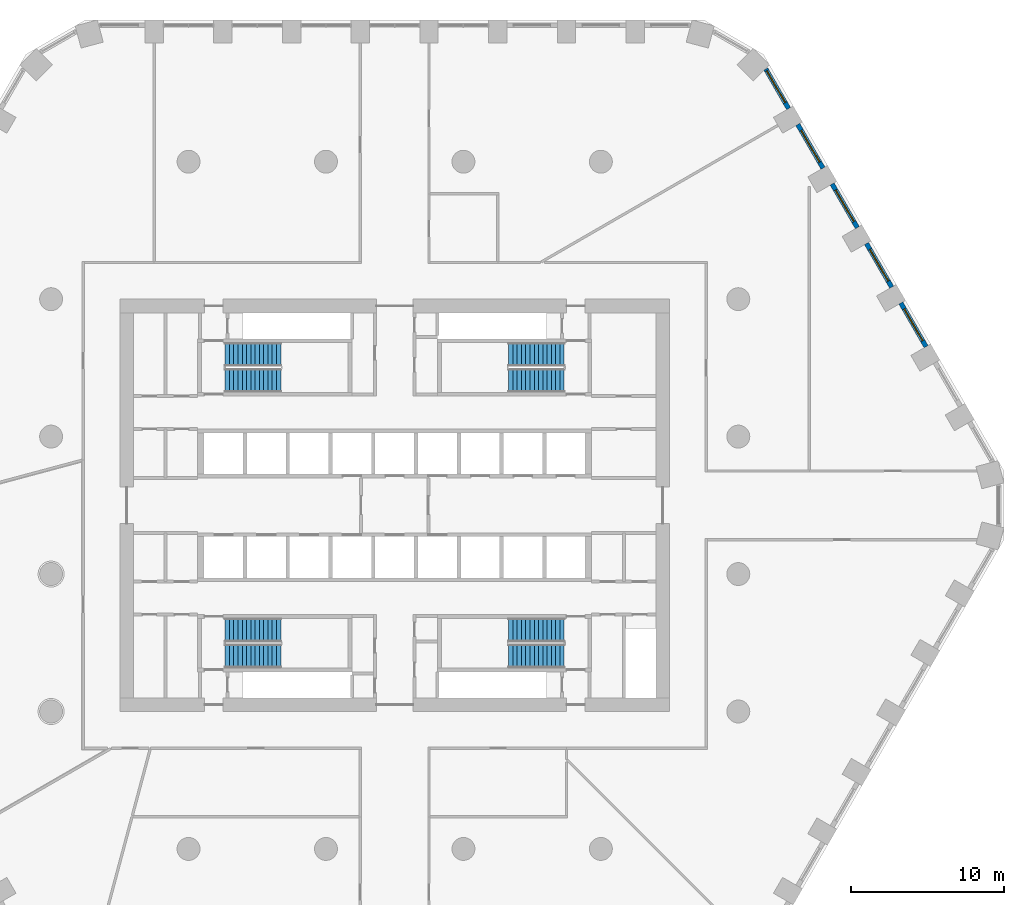
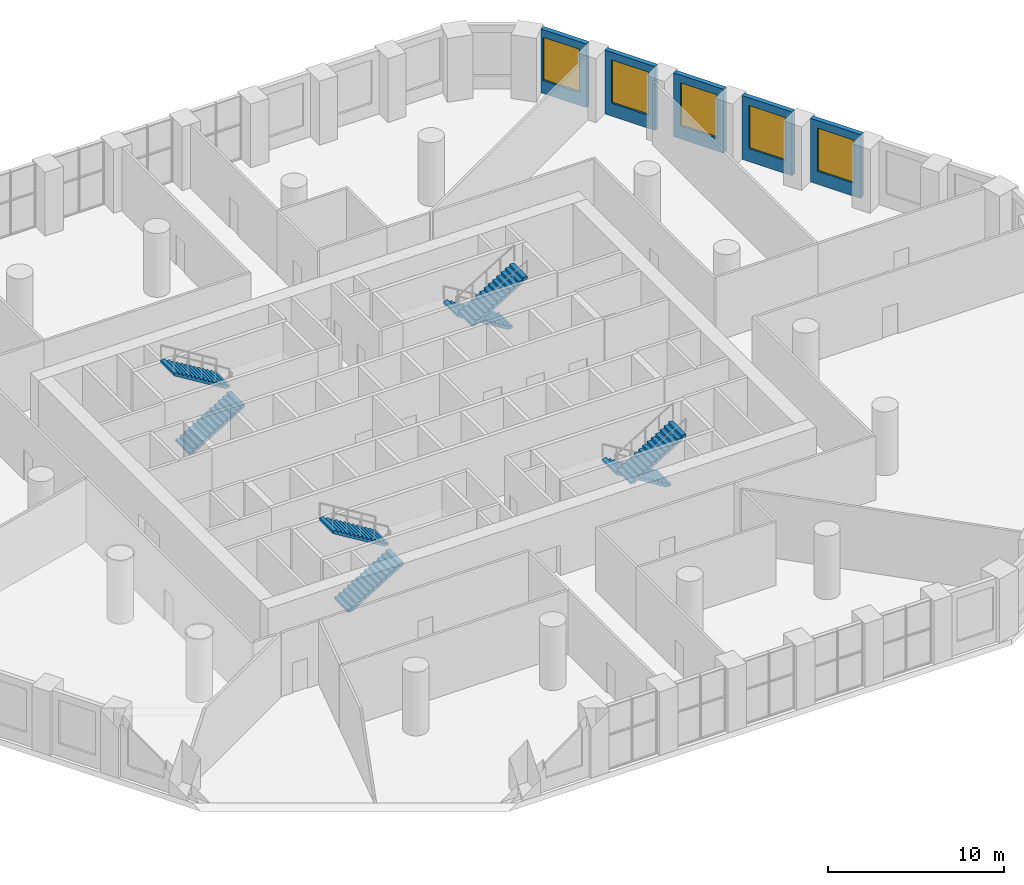
# One storey, part 11 of 13: 8 stair flights, 5 walls, 5 windows, 5 openings, 4 elements without a shape of their own.
"""IFC4 building model written with IfcOpenShell, lengths in metres."""

from ifc_helpers import new_model, si_unit, direction, frame, frame_2d, origin, place, context, subcontext, project, spatial, polyline, rectangle, outline, extrude, material, layer, layer_set, type_object, element, fill, aggregate, save


model = new_model("IFC4")

# Units and contexts
model_context = context("Model", 3, precision=1e-05, world=origin(), true_north=direction((0.0, 1.0)))
body_context = subcontext(model_context, "Body", "Model", "MODEL_VIEW")
ifc_project = project(units=[si_unit("LENGTHUNIT", "METRE"), si_unit("AREAUNIT", "SQUARE_METRE"), si_unit("VOLUMEUNIT", "CUBIC_METRE"), si_unit("PLANEANGLEUNIT", "RADIAN"), si_unit("MASSUNIT", "GRAM", prefix="KILO")], contexts=[model_context])

# Site, building, storey
site_placement = place(None, origin())
site = spatial("IfcSite", under=ifc_project, at=site_placement, CompositionType="ELEMENT")
building_placement = place(site_placement, origin())
building = spatial("IfcBuilding", under=site, at=building_placement, Name="Dhurran Vertical Campus", CompositionType="ELEMENT")
storey_placement = place(building_placement, frame((0.0, 0.0, 25.199951171875)))
storey = spatial("IfcBuildingStorey", under=building, at=storey_placement, Name="L05", CompositionType="ELEMENT", Elevation=25.199951171875)

# Wall, opening, window
ifc_material_1 = material(Name="Precast concrete C50/60", Category="concrete")
ifc_layer = layer(ifc_material_1, 0.300048828125)
ifc_layer_set = layer_set([ifc_layer], Name="Precast concrete C50/60")
wall_type = type_object("IfcWallType", Name="Precast spandrel wall 300", PredefinedType="SOLIDWALL", material=ifc_layer_set)
wall_1_placement = place(storey_placement, frame((34.793701171875, 10.389404296875, 0.0), z_axis=(0.0, 0.0, 1.0), x_axis=(-0.499991515992, 0.866030301974, 0.0)))
wall_1 = element("IfcWall", 1, at=wall_1_placement, inside=storey, type_object=wall_type, Name="EW1 L05.20", PredefinedType="SOLIDWALL", context=body_context, shape_type="SweptSolid", body=[
    extrude(rectangle(XDim=3.298828125, YDim=0.300048828125, at=frame_2d((1.6494140625, 0.0))), origin(), (0.0, 0.0, 1.0), 4.425048828125),
])
opening_1_placement = place(wall_1_placement, frame((0.449462890625, 0.0, 0.89990234375)))
opening_1 = element("IfcOpeningElement", 2, at=opening_1_placement, cuts=wall_1, Name="Opening WT2", PredefinedType="OPENING", context=body_context, shape_type="SweptSolid", body=[
    extrude(rectangle(XDim=2.39990234375, YDim=3.0, at=frame_2d((1.199951171875, 1.5))), frame((0.0, 0.159912109375, 0.0), z_axis=(0.0, -1.0, 0.0), x_axis=(1.0, 0.0, 0.0)), (0.0, 0.0, 1.0), 0.320068359375),
])
ifc_material_2 = material(Name="Aluminium frame with solar-control glass", Category="aluminium")
window_type = type_object("IfcWindowType", Name="Podium window 2400 x 3000", PartitioningType="SINGLE_PANEL", PredefinedType="WINDOW", material=ifc_material_2)
window_1_placement = place(opening_1_placement, origin())
window_1 = element("IfcWindow", 3, at=window_1_placement, inside=storey, type_object=window_type, Name="WT2 L05.20", OverallHeight=3.0, OverallWidth=2.39990234375, PartitioningType="SINGLE_PANEL", PredefinedType="WINDOW", context=body_context, shape_type="SweptSolid", body=[
    extrude(rectangle(XDim=2.39990234375, YDim=3.0, at=frame_2d((1.199951171875, 1.5))), frame((0.0, 0.030029296875, 0.0), z_axis=(0.0, -1.0, 0.0), x_axis=(1.0, 0.0, 0.0)), (0.0, 0.0, 1.0), 0.06005859375),
])
fill(opening_1, window_1)

wall_2_placement = place(storey_placement, frame((32.543701171875, 14.286376953125, 0.0), z_axis=(0.0, 0.0, 1.0), x_axis=(-0.499991515992, 0.866030301974, 0.0)))
wall_2 = element("IfcWall", 4, at=wall_2_placement, inside=storey, type_object=wall_type, Name="EW1 L05.21", PredefinedType="SOLIDWALL", context=body_context, shape_type="SweptSolid", body=[
    extrude(rectangle(XDim=3.298828125, YDim=0.300048828125, at=frame_2d((1.6494140625, 0.0))), origin(), (0.0, 0.0, 1.0), 4.425048828125),
])
opening_2_placement = place(wall_2_placement, frame((0.449462890625, 0.0, 0.89990234375)))
opening_2 = element("IfcOpeningElement", 5, at=opening_2_placement, cuts=wall_2, Name="Opening WT2", PredefinedType="OPENING", context=body_context, shape_type="SweptSolid", body=[
    extrude(rectangle(XDim=2.39990234375, YDim=3.0, at=frame_2d((1.199951171875, 1.5))), frame((0.0, 0.159912109375, 0.0), z_axis=(0.0, -1.0, 0.0), x_axis=(1.0, 0.0, 0.0)), (0.0, 0.0, 1.0), 0.320068359375),
])
window_2_placement = place(opening_2_placement, origin())
window_2 = element("IfcWindow", 6, at=window_2_placement, inside=storey, type_object=window_type, Name="WT2 L05.21", OverallHeight=3.0, OverallWidth=2.39990234375, PartitioningType="SINGLE_PANEL", PredefinedType="WINDOW", context=body_context, shape_type="SweptSolid", body=[
    extrude(rectangle(XDim=2.39990234375, YDim=3.0, at=frame_2d((1.199951171875, 1.5))), frame((0.0, 0.030029296875, 0.0), z_axis=(0.0, -1.0, 0.0), x_axis=(1.0, 0.0, 0.0)), (0.0, 0.0, 1.0), 0.06005859375),
])
fill(opening_2, window_2)

wall_3_placement = place(storey_placement, frame((30.293701171875, 18.18359375, 0.0), z_axis=(0.0, 0.0, 1.0), x_axis=(-0.499991515992, 0.866030301974, 0.0)))
wall_3 = element("IfcWall", 7, at=wall_3_placement, inside=storey, type_object=wall_type, Name="EW1 L05.22", PredefinedType="SOLIDWALL", context=body_context, shape_type="SweptSolid", body=[
    extrude(rectangle(XDim=3.298828125, YDim=0.300048828125, at=frame_2d((1.6494140625, 0.0))), origin(), (0.0, 0.0, 1.0), 4.425048828125),
])
opening_3_placement = place(wall_3_placement, frame((0.449462890625, 0.0, 0.89990234375)))
opening_3 = element("IfcOpeningElement", 8, at=opening_3_placement, cuts=wall_3, Name="Opening WT2", PredefinedType="OPENING", context=body_context, shape_type="SweptSolid", body=[
    extrude(rectangle(XDim=2.39990234375, YDim=3.0, at=frame_2d((1.199951171875, 1.5))), frame((0.0, 0.159912109375, 0.0), z_axis=(0.0, -1.0, 0.0), x_axis=(1.0, 0.0, 0.0)), (0.0, 0.0, 1.0), 0.320068359375),
])
window_3_placement = place(opening_3_placement, origin())
window_3 = element("IfcWindow", 9, at=window_3_placement, inside=storey, type_object=window_type, Name="WT2 L05.22", OverallHeight=3.0, OverallWidth=2.39990234375, PartitioningType="SINGLE_PANEL", PredefinedType="WINDOW", context=body_context, shape_type="SweptSolid", body=[
    extrude(rectangle(XDim=2.39990234375, YDim=3.0, at=frame_2d((1.199951171875, 1.5))), frame((0.0, 0.030029296875, 0.0), z_axis=(0.0, -1.0, 0.0), x_axis=(1.0, 0.0, 0.0)), (0.0, 0.0, 1.0), 0.06005859375),
])
fill(opening_3, window_3)

wall_4_placement = place(storey_placement, frame((28.043701171875, 22.08056640625, 0.0), z_axis=(0.0, 0.0, 1.0), x_axis=(-0.499991515992, 0.866030301974, 0.0)))
wall_4 = element("IfcWall", 10, at=wall_4_placement, inside=storey, type_object=wall_type, Name="EW1 L05.23", PredefinedType="SOLIDWALL", context=body_context, shape_type="SweptSolid", body=[
    extrude(rectangle(XDim=3.298828125, YDim=0.300048828125, at=frame_2d((1.6494140625, 0.0))), origin(), (0.0, 0.0, 1.0), 4.425048828125),
])
opening_4_placement = place(wall_4_placement, frame((0.449462890625, 0.0, 0.89990234375)))
opening_4 = element("IfcOpeningElement", 11, at=opening_4_placement, cuts=wall_4, Name="Opening WT2", PredefinedType="OPENING", context=body_context, shape_type="SweptSolid", body=[
    extrude(rectangle(XDim=2.39990234375, YDim=3.0, at=frame_2d((1.199951171875, 1.5))), frame((0.0, 0.159912109375, 0.0), z_axis=(0.0, -1.0, 0.0), x_axis=(1.0, 0.0, 0.0)), (0.0, 0.0, 1.0), 0.320068359375),
])
window_4_placement = place(opening_4_placement, origin())
window_4 = element("IfcWindow", 12, at=window_4_placement, inside=storey, type_object=window_type, Name="WT2 L05.23", OverallHeight=3.0, OverallWidth=2.39990234375, PartitioningType="SINGLE_PANEL", PredefinedType="WINDOW", context=body_context, shape_type="SweptSolid", body=[
    extrude(rectangle(XDim=2.39990234375, YDim=3.0, at=frame_2d((1.199951171875, 1.5))), frame((0.0, 0.030029296875, 0.0), z_axis=(0.0, -1.0, 0.0), x_axis=(1.0, 0.0, 0.0)), (0.0, 0.0, 1.0), 0.06005859375),
])
fill(opening_4, window_4)

wall_5_placement = place(storey_placement, frame((25.793701171875, 25.977783203125, 0.0), z_axis=(0.0, 0.0, 1.0), x_axis=(-0.49999586137, 0.866027793211, 0.0)))
wall_5 = element("IfcWall", 13, at=wall_5_placement, inside=storey, type_object=wall_type, Name="EW1 L05.24", PredefinedType="SOLIDWALL", context=body_context, shape_type="SweptSolid", body=[
    extrude(rectangle(XDim=2.98876953125, YDim=0.300048828125, at=frame_2d((1.494384765625, 0.0))), origin(), (0.0, 0.0, 1.0), 4.425048828125),
])
opening_5_placement = place(wall_5_placement, frame((0.449462890625, 0.0, 0.89990234375)))
opening_5 = element("IfcOpeningElement", 14, at=opening_5_placement, cuts=wall_5, Name="Opening WT2", PredefinedType="OPENING", context=body_context, shape_type="SweptSolid", body=[
    extrude(rectangle(XDim=2.39990234375, YDim=3.0, at=frame_2d((1.199951171875, 1.5))), frame((0.0, 0.159912109375, 0.0), z_axis=(0.0, -1.0, 0.0), x_axis=(1.0, 0.0, 0.0)), (0.0, 0.0, 1.0), 0.320068359375),
])
window_5_placement = place(opening_5_placement, origin())
window_5 = element("IfcWindow", 15, at=window_5_placement, inside=storey, type_object=window_type, Name="WT2 L05.24", OverallHeight=3.0, OverallWidth=2.39990234375, PartitioningType="SINGLE_PANEL", PredefinedType="WINDOW", context=body_context, shape_type="SweptSolid", body=[
    extrude(rectangle(XDim=2.39990234375, YDim=3.0, at=frame_2d((1.199951171875, 1.5))), frame((0.0, 0.030029296875, 0.0), z_axis=(0.0, -1.0, 0.0), x_axis=(1.0, 0.0, 0.0)), (0.0, 0.0, 1.0), 0.06005859375),
])
fill(opening_5, window_5)

# Stair, stair flights
ifc_material_3 = material(Name="Concrete C40/50", Category="concrete")
stair_type = type_object("IfcStairType", Name="co-ST-CORE", PredefinedType="HALF_TURN_STAIR", material=ifc_material_3)
stair_1_placement = place(storey_placement, origin())
stair_1 = element("IfcStair", 16, at=stair_1_placement, inside=storey, type_object=stair_type, Name="L05 Protected exit stair ST1", PredefinedType="HALF_TURN_STAIR")
ifc_material_4 = material(Name="Concrete C40/50", Category="concrete")
stair_flight_type = type_object("IfcStairFlightType", Name="co-SFL-RC", PredefinedType="STRAIGHT", material=ifc_material_4)
stair_flight_1_placement = place(storey_placement, frame((-11.10009765625, 8.175048828125, 0.0), z_axis=(0.0, 0.0, 1.0), x_axis=(1.0, 0.0, 0.0)))
stair_flight_1 = element("IfcStairFlight", 17, at=stair_flight_1_placement, type_object=stair_flight_type, Name="ST1 flight 1", NumberOfRisers=14, NumberOfTreads=13, PredefinedType="STRAIGHT", RiserHeight=0.171428571, TreadLength=0.28, context=body_context, shape_type="SweptSolid", body=[
    extrude(outline(polyline([(0.0, 0.0), (0.0, 0.17138671875), (0.280029296875, 0.17138671875), (0.280029296875, 0.3427734375), (0.56005859375, 0.3427734375), (0.56005859375, 0.514404296875), (0.840087890625, 0.514404296875), (0.840087890625, 0.685791015625), (1.1201171875, 0.685791015625), (1.1201171875, 0.857177734375), (1.39990234375, 0.857177734375), (1.39990234375, 1.028564453125), (1.679931640625, 1.028564453125), (1.679931640625, 1.199951171875), (1.9599609375, 1.199951171875), (1.9599609375, 1.371337890625), (2.239990234375, 1.371337890625), (2.239990234375, 1.54296875), (2.52001953125, 1.54296875), (2.52001953125, 1.71435546875), (2.800048828125, 1.71435546875), (2.800048828125, 1.8857421875), (3.080078125, 1.8857421875), (3.080078125, 2.05712890625), (3.360107421875, 2.05712890625), (3.360107421875, 2.228515625), (3.639892578125, 2.228515625), (3.639892578125, 2.39990234375), (3.639892578125, 2.052734375), (0.287109375, 0.0), (0.0, 0.0)])), frame((0.0, 0.77490234375, 0.0), z_axis=(0.0, -1.0, 0.0), x_axis=(1.0, 0.0, 0.0)), (0.0, 0.0, 1.0), 1.550048828125),
])
stair_flight_2_placement = place(storey_placement, frame((-7.4599609375, 9.875, 2.400146484375), z_axis=(0.0, 0.0, 1.0), x_axis=(-1.0, 0.0, 0.0)))
stair_flight_2 = element("IfcStairFlight", 18, at=stair_flight_2_placement, type_object=stair_flight_type, Name="ST1 flight 2", NumberOfRisers=14, NumberOfTreads=13, PredefinedType="STRAIGHT", RiserHeight=0.171428571, TreadLength=0.28, context=body_context, shape_type="SweptSolid", body=[
    extrude(outline(polyline([(0.0, 0.0), (0.0, 0.17138671875), (0.280029296875, 0.17138671875), (0.280029296875, 0.3427734375), (0.56005859375, 0.3427734375), (0.56005859375, 0.514404296875), (0.840087890625, 0.514404296875), (0.840087890625, 0.685791015625), (1.1201171875, 0.685791015625), (1.1201171875, 0.857177734375), (1.39990234375, 0.857177734375), (1.39990234375, 1.028564453125), (1.679931640625, 1.028564453125), (1.679931640625, 1.199951171875), (1.9599609375, 1.199951171875), (1.9599609375, 1.371337890625), (2.239990234375, 1.371337890625), (2.239990234375, 1.54296875), (2.52001953125, 1.54296875), (2.52001953125, 1.71435546875), (2.800048828125, 1.71435546875), (2.800048828125, 1.8857421875), (3.080078125, 1.8857421875), (3.080078125, 2.05712890625), (3.360107421875, 2.05712890625), (3.360107421875, 2.228515625), (3.639892578125, 2.228515625), (3.639892578125, 2.39990234375), (3.639892578125, 2.052734375), (0.287109375, 0.0), (0.0, 0.0)])), frame((0.0, 0.77490234375, 0.0), z_axis=(0.0, -1.0, 0.0), x_axis=(1.0, 0.0, 0.0)), (0.0, 0.0, 1.0), 1.550048828125),
])
aggregate(stair_1, [stair_flight_1, stair_flight_2])

stair_2_placement = place(storey_placement, origin())
stair_2 = element("IfcStair", 19, at=stair_2_placement, inside=storey, type_object=stair_type, Name="L05 Protected exit stair ST2", PredefinedType="HALF_TURN_STAIR")
stair_flight_3_placement = place(storey_placement, frame((11.10009765625, 9.875, 0.0), z_axis=(0.0, 0.0, 1.0), x_axis=(-1.0, 0.0, 0.0)))
stair_flight_3 = element("IfcStairFlight", 20, at=stair_flight_3_placement, type_object=stair_flight_type, Name="ST2 flight 1", NumberOfRisers=14, NumberOfTreads=13, PredefinedType="STRAIGHT", RiserHeight=0.171428571, TreadLength=0.28, context=body_context, shape_type="SweptSolid", body=[
    extrude(outline(polyline([(0.0, 0.0), (0.0, 0.17138671875), (0.280029296875, 0.17138671875), (0.280029296875, 0.3427734375), (0.56005859375, 0.3427734375), (0.56005859375, 0.514404296875), (0.840087890625, 0.514404296875), (0.840087890625, 0.685791015625), (1.1201171875, 0.685791015625), (1.1201171875, 0.857177734375), (1.39990234375, 0.857177734375), (1.39990234375, 1.028564453125), (1.679931640625, 1.028564453125), (1.679931640625, 1.199951171875), (1.9599609375, 1.199951171875), (1.9599609375, 1.371337890625), (2.239990234375, 1.371337890625), (2.239990234375, 1.54296875), (2.52001953125, 1.54296875), (2.52001953125, 1.71435546875), (2.800048828125, 1.71435546875), (2.800048828125, 1.8857421875), (3.080078125, 1.8857421875), (3.080078125, 2.05712890625), (3.360107421875, 2.05712890625), (3.360107421875, 2.228515625), (3.639892578125, 2.228515625), (3.639892578125, 2.39990234375), (3.639892578125, 2.052734375), (0.287109375, 0.0), (0.0, 0.0)])), frame((0.0, 0.77490234375, 0.0), z_axis=(0.0, -1.0, 0.0), x_axis=(1.0, 0.0, 0.0)), (0.0, 0.0, 1.0), 1.550048828125),
])
stair_flight_4_placement = place(storey_placement, frame((7.4599609375, 8.175048828125, 2.400146484375), z_axis=(0.0, 0.0, 1.0), x_axis=(1.0, 0.0, 0.0)))
stair_flight_4 = element("IfcStairFlight", 21, at=stair_flight_4_placement, type_object=stair_flight_type, Name="ST2 flight 2", NumberOfRisers=14, NumberOfTreads=13, PredefinedType="STRAIGHT", RiserHeight=0.171428571, TreadLength=0.28, context=body_context, shape_type="SweptSolid", body=[
    extrude(outline(polyline([(0.0, 0.0), (0.0, 0.17138671875), (0.280029296875, 0.17138671875), (0.280029296875, 0.3427734375), (0.56005859375, 0.3427734375), (0.56005859375, 0.514404296875), (0.840087890625, 0.514404296875), (0.840087890625, 0.685791015625), (1.1201171875, 0.685791015625), (1.1201171875, 0.857177734375), (1.39990234375, 0.857177734375), (1.39990234375, 1.028564453125), (1.679931640625, 1.028564453125), (1.679931640625, 1.199951171875), (1.9599609375, 1.199951171875), (1.9599609375, 1.371337890625), (2.239990234375, 1.371337890625), (2.239990234375, 1.54296875), (2.52001953125, 1.54296875), (2.52001953125, 1.71435546875), (2.800048828125, 1.71435546875), (2.800048828125, 1.8857421875), (3.080078125, 1.8857421875), (3.080078125, 2.05712890625), (3.360107421875, 2.05712890625), (3.360107421875, 2.228515625), (3.639892578125, 2.228515625), (3.639892578125, 2.39990234375), (3.639892578125, 2.052734375), (0.287109375, 0.0), (0.0, 0.0)])), frame((0.0, 0.77490234375, 0.0), z_axis=(0.0, -1.0, 0.0), x_axis=(1.0, 0.0, 0.0)), (0.0, 0.0, 1.0), 1.550048828125),
])
aggregate(stair_2, [stair_flight_3, stair_flight_4])

stair_3_placement = place(storey_placement, origin())
stair_3 = element("IfcStair", 22, at=stair_3_placement, inside=storey, type_object=stair_type, Name="L05 Protected exit stair ST3", PredefinedType="HALF_TURN_STAIR")
stair_flight_5_placement = place(storey_placement, frame((-11.10009765625, -9.875, 0.0), z_axis=(0.0, 0.0, 1.0), x_axis=(1.0, 0.0, 0.0)))
stair_flight_5 = element("IfcStairFlight", 23, at=stair_flight_5_placement, type_object=stair_flight_type, Name="ST3 flight 1", NumberOfRisers=14, NumberOfTreads=13, PredefinedType="STRAIGHT", RiserHeight=0.171428571, TreadLength=0.28, context=body_context, shape_type="SweptSolid", body=[
    extrude(outline(polyline([(0.0, 0.0), (0.0, 0.17138671875), (0.280029296875, 0.17138671875), (0.280029296875, 0.3427734375), (0.56005859375, 0.3427734375), (0.56005859375, 0.514404296875), (0.840087890625, 0.514404296875), (0.840087890625, 0.685791015625), (1.1201171875, 0.685791015625), (1.1201171875, 0.857177734375), (1.39990234375, 0.857177734375), (1.39990234375, 1.028564453125), (1.679931640625, 1.028564453125), (1.679931640625, 1.199951171875), (1.9599609375, 1.199951171875), (1.9599609375, 1.371337890625), (2.239990234375, 1.371337890625), (2.239990234375, 1.54296875), (2.52001953125, 1.54296875), (2.52001953125, 1.71435546875), (2.800048828125, 1.71435546875), (2.800048828125, 1.8857421875), (3.080078125, 1.8857421875), (3.080078125, 2.05712890625), (3.360107421875, 2.05712890625), (3.360107421875, 2.228515625), (3.639892578125, 2.228515625), (3.639892578125, 2.39990234375), (3.639892578125, 2.052734375), (0.287109375, 0.0), (0.0, 0.0)])), frame((0.0, 0.77490234375, 0.0), z_axis=(0.0, -1.0, 0.0), x_axis=(1.0, 0.0, 0.0)), (0.0, 0.0, 1.0), 1.550048828125),
])
stair_flight_6_placement = place(storey_placement, frame((-7.4599609375, -8.175048828125, 2.400146484375), z_axis=(0.0, 0.0, 1.0), x_axis=(-1.0, 0.0, 0.0)))
stair_flight_6 = element("IfcStairFlight", 24, at=stair_flight_6_placement, type_object=stair_flight_type, Name="ST3 flight 2", NumberOfRisers=14, NumberOfTreads=13, PredefinedType="STRAIGHT", RiserHeight=0.171428571, TreadLength=0.28, context=body_context, shape_type="SweptSolid", body=[
    extrude(outline(polyline([(0.0, 0.0), (0.0, 0.17138671875), (0.280029296875, 0.17138671875), (0.280029296875, 0.3427734375), (0.56005859375, 0.3427734375), (0.56005859375, 0.514404296875), (0.840087890625, 0.514404296875), (0.840087890625, 0.685791015625), (1.1201171875, 0.685791015625), (1.1201171875, 0.857177734375), (1.39990234375, 0.857177734375), (1.39990234375, 1.028564453125), (1.679931640625, 1.028564453125), (1.679931640625, 1.199951171875), (1.9599609375, 1.199951171875), (1.9599609375, 1.371337890625), (2.239990234375, 1.371337890625), (2.239990234375, 1.54296875), (2.52001953125, 1.54296875), (2.52001953125, 1.71435546875), (2.800048828125, 1.71435546875), (2.800048828125, 1.8857421875), (3.080078125, 1.8857421875), (3.080078125, 2.05712890625), (3.360107421875, 2.05712890625), (3.360107421875, 2.228515625), (3.639892578125, 2.228515625), (3.639892578125, 2.39990234375), (3.639892578125, 2.052734375), (0.287109375, 0.0), (0.0, 0.0)])), frame((0.0, 0.77490234375, 0.0), z_axis=(0.0, -1.0, 0.0), x_axis=(1.0, 0.0, 0.0)), (0.0, 0.0, 1.0), 1.550048828125),
])
aggregate(stair_3, [stair_flight_5, stair_flight_6])

stair_4_placement = place(storey_placement, origin())
stair_4 = element("IfcStair", 25, at=stair_4_placement, inside=storey, type_object=stair_type, Name="L05 Protected exit stair ST4", PredefinedType="HALF_TURN_STAIR")
stair_flight_7_placement = place(storey_placement, frame((11.10009765625, -8.175048828125, 0.0), z_axis=(0.0, 0.0, 1.0), x_axis=(-1.0, 0.0, 0.0)))
stair_flight_7 = element("IfcStairFlight", 26, at=stair_flight_7_placement, type_object=stair_flight_type, Name="ST4 flight 1", NumberOfRisers=14, NumberOfTreads=13, PredefinedType="STRAIGHT", RiserHeight=0.171428571, TreadLength=0.28, context=body_context, shape_type="SweptSolid", body=[
    extrude(outline(polyline([(0.0, 0.0), (0.0, 0.17138671875), (0.280029296875, 0.17138671875), (0.280029296875, 0.3427734375), (0.56005859375, 0.3427734375), (0.56005859375, 0.514404296875), (0.840087890625, 0.514404296875), (0.840087890625, 0.685791015625), (1.1201171875, 0.685791015625), (1.1201171875, 0.857177734375), (1.39990234375, 0.857177734375), (1.39990234375, 1.028564453125), (1.679931640625, 1.028564453125), (1.679931640625, 1.199951171875), (1.9599609375, 1.199951171875), (1.9599609375, 1.371337890625), (2.239990234375, 1.371337890625), (2.239990234375, 1.54296875), (2.52001953125, 1.54296875), (2.52001953125, 1.71435546875), (2.800048828125, 1.71435546875), (2.800048828125, 1.8857421875), (3.080078125, 1.8857421875), (3.080078125, 2.05712890625), (3.360107421875, 2.05712890625), (3.360107421875, 2.228515625), (3.639892578125, 2.228515625), (3.639892578125, 2.39990234375), (3.639892578125, 2.052734375), (0.287109375, 0.0), (0.0, 0.0)])), frame((0.0, 0.77490234375, 0.0), z_axis=(0.0, -1.0, 0.0), x_axis=(1.0, 0.0, 0.0)), (0.0, 0.0, 1.0), 1.550048828125),
])
stair_flight_8_placement = place(storey_placement, frame((7.4599609375, -9.875, 2.400146484375), z_axis=(0.0, 0.0, 1.0), x_axis=(1.0, 0.0, 0.0)))
stair_flight_8 = element("IfcStairFlight", 27, at=stair_flight_8_placement, type_object=stair_flight_type, Name="ST4 flight 2", NumberOfRisers=14, NumberOfTreads=13, PredefinedType="STRAIGHT", RiserHeight=0.171428571, TreadLength=0.28, context=body_context, shape_type="SweptSolid", body=[
    extrude(outline(polyline([(0.0, 0.0), (0.0, 0.17138671875), (0.280029296875, 0.17138671875), (0.280029296875, 0.3427734375), (0.56005859375, 0.3427734375), (0.56005859375, 0.514404296875), (0.840087890625, 0.514404296875), (0.840087890625, 0.685791015625), (1.1201171875, 0.685791015625), (1.1201171875, 0.857177734375), (1.39990234375, 0.857177734375), (1.39990234375, 1.028564453125), (1.679931640625, 1.028564453125), (1.679931640625, 1.199951171875), (1.9599609375, 1.199951171875), (1.9599609375, 1.371337890625), (2.239990234375, 1.371337890625), (2.239990234375, 1.54296875), (2.52001953125, 1.54296875), (2.52001953125, 1.71435546875), (2.800048828125, 1.71435546875), (2.800048828125, 1.8857421875), (3.080078125, 1.8857421875), (3.080078125, 2.05712890625), (3.360107421875, 2.05712890625), (3.360107421875, 2.228515625), (3.639892578125, 2.228515625), (3.639892578125, 2.39990234375), (3.639892578125, 2.052734375), (0.287109375, 0.0), (0.0, 0.0)])), frame((0.0, 0.77490234375, 0.0), z_axis=(0.0, -1.0, 0.0), x_axis=(1.0, 0.0, 0.0)), (0.0, 0.0, 1.0), 1.550048828125),
])
aggregate(stair_4, [stair_flight_7, stair_flight_8])

save(model, "model.ifc")
